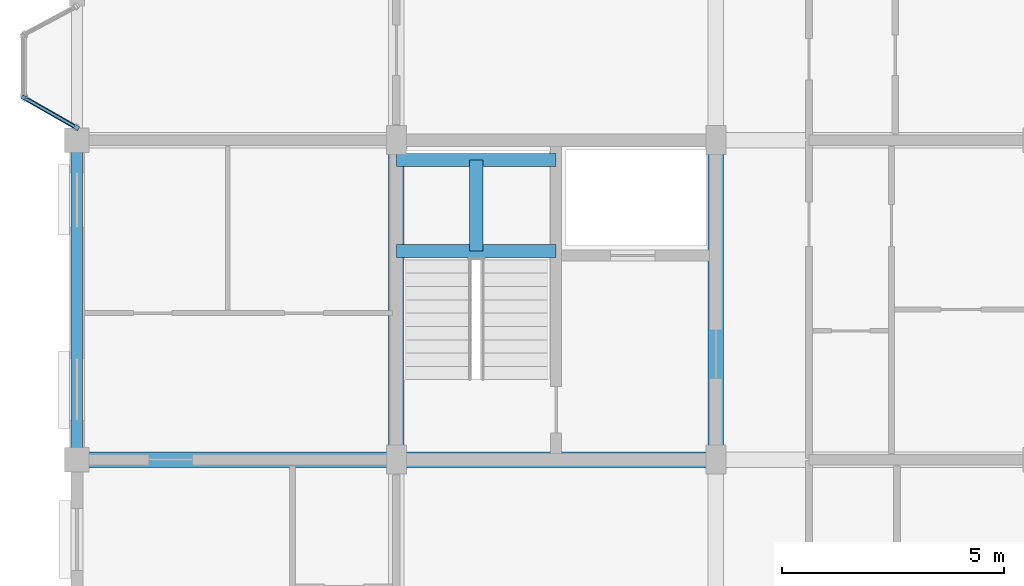
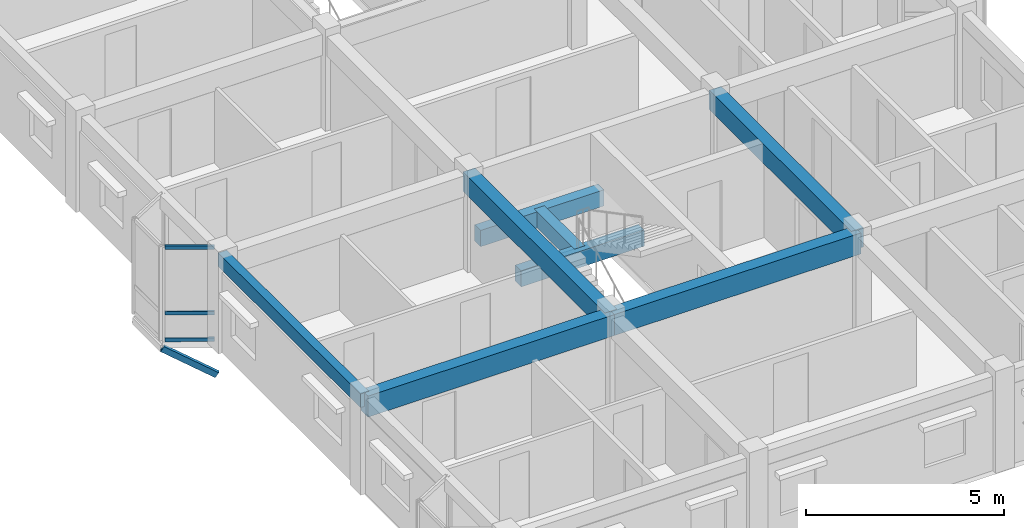
# One storey, part 16 of 79: 8 beams, 4 members, 1 element without a shape of its own.
"""IFC4 building model written with IfcOpenShell, lengths in metres."""

from ifc_helpers import new_model, si_unit, direction, frame, origin, origin_2d, place, context, subcontext, project, spatial, rectangle, hollow_rectangle, extrude, material, layer, layer_set, material_profile, profile_set, type_object, element, aggregate, save


model = new_model("IFC4")

# Units and contexts
model_context = context("Model", 3, precision=1e-05, world=origin(), true_north=direction((0.0, 1.0)))
body_context = subcontext(model_context, "Body", "Model", "MODEL_VIEW")
ifc_project = project(units=[si_unit("LENGTHUNIT", "METRE"), si_unit("AREAUNIT", "SQUARE_METRE"), si_unit("VOLUMEUNIT", "CUBIC_METRE"), si_unit("PLANEANGLEUNIT", "RADIAN"), si_unit("MASSUNIT", "GRAM", prefix="KILO"), si_unit("THERMODYNAMICTEMPERATUREUNIT", "KELVIN"), si_unit("POWERUNIT", "WATT")], contexts=[model_context])

# Site, building, storey
site_placement = place(None, origin())
site = spatial("IfcSite", under=ifc_project, at=site_placement, CompositionType="ELEMENT")
building_placement = place(site_placement, origin())
building = spatial("IfcBuilding", under=site, at=building_placement, Name="Tavuni Mirador Residences", CompositionType="ELEMENT")
storey_placement = place(building_placement, frame((0.0, 0.0, 13.949951171875)))
storey = spatial("IfcBuildingStorey", under=building, at=storey_placement, Name="L04", CompositionType="ELEMENT", Elevation=13.949951171875)

# Beams
ifc_material_1 = material(Name="Precast concrete C40/50", Category="concrete")
ifc_material_profile_1 = material_profile(ifc_material_1, rectangle(XDim=0.300048828125, YDim=0.5, at=origin_2d()), Name="PC 300x500", Category="concrete")
ifc_profile_set_1 = profile_set([ifc_material_profile_1], Name="Precast concrete C40/50")
beam_type_1 = type_object("IfcBeamType", Name="BT-B500", PredefinedType="BEAM", material=ifc_profile_set_1)
for number, where, z_axis, x_axis, name in (
    (1, (10.800048828125, 76.699951171875, 1.14501953125), (1.0, 0.0, 0.0), (0.0, 1.0, 0.0), "HLB1-C3-L04"),
    (2, (10.800048828125, 78.75, 1.14501953125), (1.0, 0.0, 0.0), (0.0, 1.0, 0.0), "HLB2-C3-L04"),
):
    element("IfcBeam", number, at=place(storey_placement, frame(where, z_axis=z_axis, x_axis=x_axis)), inside=storey, type_object=beam_type_1, Name=name, PredefinedType="BEAM", context=body_context, shape_type="SweptSolid", body=[
        extrude(rectangle(XDim=0.300048828125, YDim=0.5, at=origin_2d()), origin(), (0.0, 0.0, 1.0), 3.599853515625),
    ])
beam_1_placement = place(storey_placement, frame((12.60009765625, 76.699951171875, 1.14501953125), z_axis=(0.0, 1.0, 0.0), x_axis=(-1.0, 0.0, 0.0)))
element("IfcBeam", 3, at=beam_1_placement, inside=storey, type_object=beam_type_1, Name="HLB3-C3-L04", PredefinedType="BEAM", context=body_context, shape_type="SweptSolid", body=[
    extrude(rectangle(XDim=0.300048828125, YDim=0.5, at=origin_2d()), origin(), (0.0, 0.0, 1.0), 2.050048828125),
])
ifc_material_profile_2 = material_profile(ifc_material_1, rectangle(XDim=0.35009765625, YDim=0.60009765625, at=origin_2d()), Name="PC 350x600", Category="concrete")
ifc_profile_set_2 = profile_set([ifc_material_profile_2], Name="Precast concrete C40/50")
beam_type_2 = type_object("IfcBeamType", Name="BT-B600", PredefinedType="BEAM", material=ifc_profile_set_2)
for number, where, z_axis, x_axis, name in (
    (4, (10.800048828125, 72.0, 2.610107421875), (0.0, 1.0, 0.0), (-1.0, 0.0, 0.0), "BMY-BLK-B-L04-01-01"),
    (5, (18.0, 72.0, 2.610107421875), (0.0, 1.0, 0.0), (-1.0, 0.0, 0.0), "BMY-BLK-B-L04-02-01"),
):
    element("IfcBeam", number, at=place(storey_placement, frame(where, z_axis=z_axis, x_axis=x_axis)), inside=storey, type_object=beam_type_2, Name=name, PredefinedType="BEAM", context=body_context, shape_type="SweptSolid", body=[
        extrude(rectangle(XDim=0.35009765625, YDim=0.60009765625, at=origin_2d()), origin(), (0.0, 0.0, 1.0), 7.199951171875),
    ])
ifc_material_profile_3 = material_profile(ifc_material_1, rectangle(XDim=0.35009765625, YDim=0.64990234375, at=origin_2d()), Name="PC 350x650", Category="concrete")
ifc_profile_set_3 = profile_set([ifc_material_profile_3], Name="Precast concrete C40/50")
beam_type_3 = type_object("IfcBeamType", Name="BT-B650", PredefinedType="BEAM", material=ifc_profile_set_3)
for number, where, z_axis, x_axis, name in (
    (6, (3.60009765625, 72.0, 2.5849609375), (1.0, 0.0, 0.0), (0.0, 1.0, 0.0), "BMX-BLK-B-L04-00-01"),
    (7, (10.800048828125, 72.0, 2.5849609375), (1.0, 0.0, 0.0), (0.0, 1.0, 0.0), "BMX-BLK-B-L04-01-01"),
):
    element("IfcBeam", number, at=place(storey_placement, frame(where, z_axis=z_axis, x_axis=x_axis)), inside=storey, type_object=beam_type_3, Name=name, PredefinedType="BEAM", context=body_context, shape_type="SweptSolid", body=[
        extrude(rectangle(XDim=0.35009765625, YDim=0.64990234375, at=origin_2d()), origin(), (0.0, 0.0, 1.0), 7.199951171875),
    ])
ifc_material_profile_4 = material_profile(ifc_material_1, rectangle(XDim=0.25, YDim=0.419921875, at=origin_2d()), Name="PC 250x420", Category="concrete")
ifc_profile_set_4 = profile_set([ifc_material_profile_4], Name="Precast concrete C40/50")
beam_type_4 = type_object("IfcBeamType", Name="BT-SP420", PredefinedType="SPANDREL", material=ifc_profile_set_4)
beam_2_placement = place(storey_placement, frame((3.60009765625, 72.0, 2.699951171875), z_axis=(0.0, 1.0, 0.0), x_axis=(-1.0, 0.0, 0.0)))
element("IfcBeam", 8, at=beam_2_placement, inside=storey, type_object=beam_type_4, Name="BMY-BLK-B-L04-00-01", PredefinedType="SPANDREL", context=body_context, shape_type="SweptSolid", body=[
    extrude(rectangle(XDim=0.25, YDim=0.419921875, at=origin_2d()), origin(), (0.0, 0.0, 1.0), 7.199951171875),
])

# Curtain wall, members
ifc_material_2 = material(Name="Anodised aluminium", Category="aluminium")
ifc_layer = layer(ifc_material_2, 0.1650390625, Name="Anodised aluminium", Category="aluminium")
ifc_layer_set = layer_set([ifc_layer], Name="Anodised aluminium")
curtain_wall_type = type_object("IfcCurtainWallType", Name="CWT-MIR-A", PredefinedType="NOTDEFINED", material=ifc_layer_set)
curtain_wall_placement = place(storey_placement, origin())
curtain_wall = element("IfcCurtainWall", 9, at=curtain_wall_placement, inside=storey, type_object=curtain_wall_type, Name="CW-MIR-B-W2-L04-M2", PredefinedType="NOTDEFINED")
ifc_material_profile_5 = material_profile(ifc_material_2, hollow_rectangle(XDim=0.06005859375, YDim=0.110107421875, WallThickness=0.00390625, at=origin_2d()), Name="ALU 60x110x4.0", Category="aluminium")
ifc_profile_set_5 = profile_set([ifc_material_profile_5], Name="Anodised aluminium")
member_type_1 = type_object("IfcMemberType", Name="CWT-110", PredefinedType="USERDEFINED", material=ifc_profile_set_5)
member_1_placement = place(storey_placement, frame((2.4521484375, 80.13037109375, 0.030029296875), z_axis=(0.868374088354, -0.495909712222, 0.0), x_axis=(0.495909712222, 0.868374088354, 0.0)))
member_1 = element("IfcMember", 10, at=member_1_placement, type_object=member_type_1, Name="CW-01 transom 1.1", ObjectType="TRANSOM", PredefinedType="USERDEFINED", context=body_context, shape_type="SweptSolid", body=[
    extrude(hollow_rectangle(XDim=0.06005859375, YDim=0.110107421875, WallThickness=0.00390625, at=origin_2d()), origin(), (0.0, 0.0, 1.0), 1.26171875),
])
member_2_placement = place(storey_placement, frame((2.4521484375, 80.13037109375, 0.85009765625), z_axis=(0.868374088354, -0.495909712222, 0.0), x_axis=(0.495909712222, 0.868374088354, 0.0)))
member_2 = element("IfcMember", 11, at=member_2_placement, type_object=member_type_1, Name="CW-01 transom 1.2", ObjectType="TRANSOM", PredefinedType="USERDEFINED", context=body_context, shape_type="SweptSolid", body=[
    extrude(hollow_rectangle(XDim=0.06005859375, YDim=0.110107421875, WallThickness=0.00390625, at=origin_2d()), origin(), (0.0, 0.0, 1.0), 1.26171875),
])
member_3_placement = place(storey_placement, frame((2.4521484375, 80.13037109375, 2.880126953125), z_axis=(0.868374088354, -0.495909712222, 0.0), x_axis=(0.495909712222, 0.868374088354, 0.0)))
member_3 = element("IfcMember", 12, at=member_3_placement, type_object=member_type_1, Name="CW-01 transom 1.3", ObjectType="TRANSOM", PredefinedType="USERDEFINED", context=body_context, shape_type="SweptSolid", body=[
    extrude(hollow_rectangle(XDim=0.06005859375, YDim=0.110107421875, WallThickness=0.00390625, at=origin_2d()), origin(), (0.0, 0.0, 1.0), 1.26171875),
])
aggregate(curtain_wall, [member_1, member_2, member_3])

# Member
ifc_material_3 = material(Name="Structural steel S355", Category="steel")
ifc_material_profile_6 = material_profile(ifc_material_3, hollow_rectangle(XDim=0.10009765625, YDim=0.179931640625, WallThickness=0.008056640625, at=origin_2d()), Name="RHS 180x100x8.0", Category="steel")
ifc_profile_set_6 = profile_set([ifc_material_profile_6], Name="Structural steel S355")
member_type_2 = type_object("IfcMemberType", Name="MT-BR-RHS180", PredefinedType="BRACE", material=ifc_profile_set_6)
member_4_placement = place(storey_placement, frame((3.60009765625, 79.47509765625, -1.050048828125), z_axis=(-0.749297922844, 0.427538786326, 0.505730371847), x_axis=(-0.495587053321, -0.868558272415, 0.0)))
element("IfcMember", 13, at=member_4_placement, inside=storey, type_object=member_type_2, Name="MBRK-MIR-B-W2-L04-1", PredefinedType="BRACE", context=body_context, shape_type="SweptSolid", body=[
    extrude(hollow_rectangle(XDim=0.10009765625, YDim=0.179931640625, WallThickness=0.008056640625, at=origin_2d()), origin(), (0.0, 0.0, 1.0), 1.601806640625),
])

save(model, "model.ifc")
